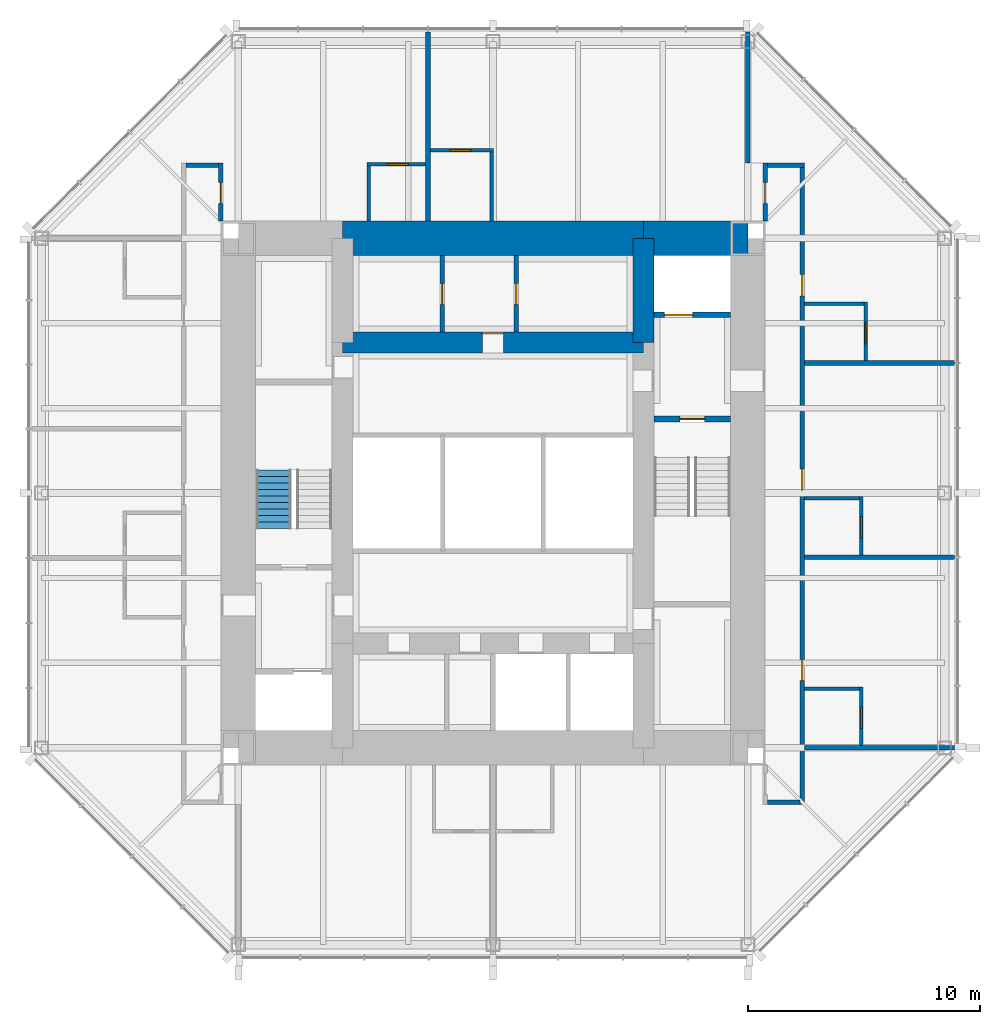
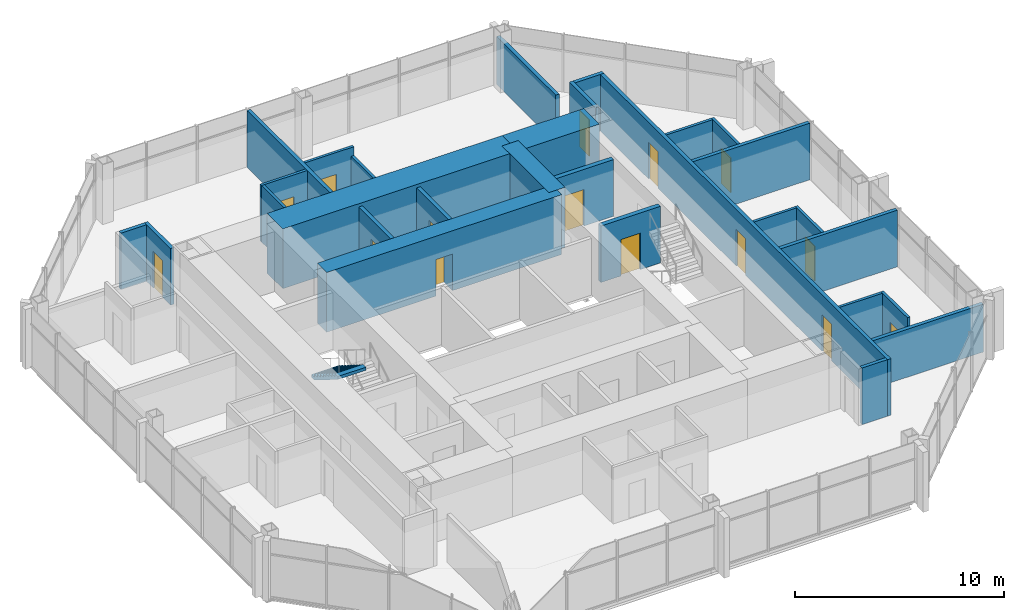
# One storey, part 9 of 11: 29 walls, 15 doors, 1 stair flight, 15 openings, 1 element without a shape of its own.
"""IFC4 building model written with IfcOpenShell, lengths in metres."""

import ifcopenshell
import ifcopenshell.guid

model = None  # the IFC model being written
_history = None  # IfcOwnerHistory: only IFC2X3 demands one
_inside = {}  # id of a spatial element -> (the spatial element, [elements in it])
_under = {}  # id of a project, library or spatial element -> (it, [spatial elements below it])
_declared = {}  # id of a project -> (the project, [libraries it declares])
_typed = {}  # id of a type object -> (the type object, [elements of that type])
_made_of = {}  # id of a material, layer set ... -> (it, [elements and type objects made of it])


def new_model(schema):
    """Start an empty IFC model of exactly this schema.

    Asked for "IFC4X3", IfcOpenShell would pick the latest addendum, in which some entities
    have other attributes; the version numbers below select the first issue.
    IFC2X3 requires an IfcOwnerHistory on every rooted entity: one is made here for all.
    """
    global model, _history
    if schema == "IFC4X3":
        model = ifcopenshell.file(schema_version=(4, 3, 0, 0))
    else:
        model = ifcopenshell.file(schema=schema)
    _inside.clear()
    _under.clear()
    _declared.clear()
    _typed.clear()
    _made_of.clear()
    _history = None
    if model.schema == "IFC2X3":
        org = make("IfcOrganization", Name="unknown")
        user = make(
            "IfcPersonAndOrganization",
            ThePerson=make("IfcPerson", FamilyName="unknown"),
            TheOrganization=org,
        )
        app = make(
            "IfcApplication",
            ApplicationDeveloper=org,
            Version="unknown",
            ApplicationFullName="unknown",
            ApplicationIdentifier="unknown",
        )
        _history = make(
            "IfcOwnerHistory",
            OwningUser=user,
            OwningApplication=app,
            ChangeAction="ADDED",
            CreationDate=0,
        )
    return model


def make(cls, **values):
    """One entity of the class cls with the attributes given. An attribute that is None is left unset."""
    return model.create_entity(
        cls, **{name: value for name, value in values.items() if value is not None}
    )


def rooted(cls, **values):
    """An entity with a GlobalId (a new one), such as an element, a storey or a relation."""
    return make(cls, GlobalId=ifcopenshell.guid.new(), OwnerHistory=_history, **values)


def si_unit(unit_type, name, prefix=None):
    """IfcSIUnit, for example si_unit("LENGTHUNIT", "METRE", prefix="MILLI")."""
    return make("IfcSIUnit", UnitType=unit_type, Prefix=prefix, Name=name)


def assignment(units):
    """IfcUnitAssignment: the units of a project."""
    return None if units is None else make("IfcUnitAssignment", Units=units)


def point(xyz):
    """IfcCartesianPoint."""
    return None if xyz is None else make("IfcCartesianPoint", Coordinates=xyz)


def direction(xyz):
    """IfcDirection."""
    return None if xyz is None else make("IfcDirection", DirectionRatios=xyz)


def frame(location, z_axis=None, x_axis=None):
    """IfcAxis2Placement3D, a coordinate frame: its origin and axes. An axis left out is left unset."""
    return make(
        "IfcAxis2Placement3D",
        Location=point(location),
        Axis=direction(z_axis),
        RefDirection=direction(x_axis),
    )


def frame_2d(location, x_axis=None):
    """IfcAxis2Placement2D, a coordinate frame in the plane: its origin and x axis."""
    return make(
        "IfcAxis2Placement2D", Location=point(location), RefDirection=direction(x_axis)
    )


def origin():
    """The frame at (0, 0, 0) with its axes left unset."""
    return frame((0.0, 0.0, 0.0))


def place(relative_to, where):
    """IfcLocalPlacement: puts the frame where relative to a parent placement (None: the world)."""
    return make(
        "IfcLocalPlacement", PlacementRelTo=relative_to, RelativePlacement=where
    )


def context(
    kind, dimensions, precision=None, world=None, true_north=None, identifier=None
):
    """IfcGeometricRepresentationContext, for example the 3D "Model" context."""
    return make(
        "IfcGeometricRepresentationContext",
        ContextIdentifier=identifier,
        ContextType=kind,
        CoordinateSpaceDimension=dimensions,
        Precision=precision,
        WorldCoordinateSystem=world,
        TrueNorth=true_north,
    )


def subcontext(parent, identifier, kind, view, scale=None):
    """IfcGeometricRepresentationSubContext, for example "Body" below "Model"."""
    return make(
        "IfcGeometricRepresentationSubContext",
        ContextIdentifier=identifier,
        ContextType=kind,
        ParentContext=parent,
        TargetScale=scale,
        TargetView=view,
    )


def project(units=None, contexts=None):
    """IfcProject with its units and contexts."""
    return rooted(
        "IfcProject",
        Name="project",
        RepresentationContexts=contexts,
        UnitsInContext=assignment(units),
    )


def spatial(cls, under=None, at=None, **own):
    """A site, building, storey or space (cls), placed at a placement, below another one or the project."""
    s = rooted(cls, ObjectPlacement=at, **own)
    if under is not None:
        _under.setdefault(under.id(), (under, []))[1].append(s)
    return s


def polyline(points):
    """IfcPolyline through the points."""
    return make("IfcPolyline", Points=[point(p) for p in points])


def profile(cls, at=None, kind="AREA", **sizes):
    """A parametric profile (cls). Its sizes go by their IFC names, for example OverallWidth=200.0."""
    return make(cls, ProfileType=kind, Position=at, **sizes)


def rectangle(**sizes):
    """IfcRectangleProfileDef."""
    return profile("IfcRectangleProfileDef", **sizes)


def outline(outer, holes=None, kind="AREA"):
    """IfcArbitraryClosedProfileDef: a profile drawn as a closed curve; with holes, ...WithVoids."""
    if holes is None:
        return make("IfcArbitraryClosedProfileDef", ProfileType=kind, OuterCurve=outer)
    return make(
        "IfcArbitraryProfileDefWithVoids",
        ProfileType=kind,
        OuterCurve=outer,
        InnerCurves=holes,
    )


def extrude(swept, where, along, depth):
    """IfcExtrudedAreaSolid: the profile swept, set in the frame where, extruded along a direction by depth."""
    return make(
        "IfcExtrudedAreaSolid",
        SweptArea=swept,
        Position=where,
        ExtrudedDirection=direction(along),
        Depth=depth,
    )


def shape(context_of_items, identifier, shape_type, items):
    """IfcShapeRepresentation: the items that make up one representation, for example the "Body"."""
    return make(
        "IfcShapeRepresentation",
        ContextOfItems=context_of_items,
        RepresentationIdentifier=identifier,
        RepresentationType=shape_type,
        Items=items,
    )


def material(Name=None, Category=None):
    """IfcMaterial."""
    return make("IfcMaterial", Name=Name, Category=Category)


def layer(
    of_material, thickness, ventilated=None, Name=None, Category=None, Priority=None
):
    """IfcMaterialLayer: one layer of a wall or slab, of a material (None: an air gap)."""
    return make(
        "IfcMaterialLayer",
        Material=of_material,
        LayerThickness=thickness,
        IsVentilated=ventilated,
        Name=Name,
        Category=Category,
        Priority=Priority,
    )


def layer_set(layers, Name=None):
    """IfcMaterialLayerSet."""
    return make("IfcMaterialLayerSet", MaterialLayers=layers, LayerSetName=Name)


def made_of(thing, what):
    """Note that an element or type object is made of a material, layer set ...; save() writes the relation."""
    if what is not None:
        _made_of.setdefault(what.id(), (what, []))[1].append(thing)
    return thing


def type_object(cls, material=None, **own):
    """A type object (cls), such as IfcWallType, which elements share."""
    return made_of(rooted(cls, **own), material)


def element(
    cls,
    number,
    at=None,
    inside=None,
    cuts=None,
    type_object=None,
    material=None,
    context=None,
    identifier="Body",
    shape_type=None,
    held_by="IfcProductDefinitionShape",
    body=None,
    shapes=None,
    **own,
):
    """One element of the class cls, such as IfcWall. Its Tag is "e" and its number.

    at: its placement. inside: the storey or other place that contains it. cuts: it is an
    opening in that element (IfcRelVoidsElement). A single representation is given by context,
    identifier, shape_type and body (its items); several are given by shapes. held_by: the class
    of the entity that holds the representations. save() writes the other relations.
    """
    e = rooted(cls, Tag="e%d" % number, ObjectPlacement=at, **own)
    if body is not None:
        shapes = [shape(context, identifier, shape_type, body)]
    if shapes is not None:
        e.Representation = make(held_by, Representations=shapes)
    if inside is not None:
        _inside.setdefault(inside.id(), (inside, []))[1].append(e)
    if cuts is not None:
        rooted(
            "IfcRelVoidsElement", RelatingBuildingElement=cuts, RelatedOpeningElement=e
        )
    if type_object is not None:
        _typed.setdefault(type_object.id(), (type_object, []))[1].append(e)
    return made_of(e, material)


def fill(opening, filler):
    """IfcRelFillsElement: the door or window that sits in an opening."""
    return rooted(
        "IfcRelFillsElement",
        RelatingOpeningElement=opening,
        RelatedBuildingElement=filler,
    )


def aggregate(whole, parts):
    """IfcRelAggregates: a whole, such as a stair, and the parts it consists of."""
    return rooted("IfcRelAggregates", RelatingObject=whole, RelatedObjects=parts)


def save(model, path):
    """Write the relations noted so far, then the file.

    IfcRelAggregates (storeys below a building ...), IfcRelContainedInSpatialStructure (elements
    in a storey), IfcRelDefinesByType, IfcRelAssociatesMaterial and IfcRelDeclares: one each for
    every whole, place, type object, material and project.
    """
    for whole, parts in _under.values():
        aggregate(whole, parts)
    for where, things in _inside.values():
        rooted(
            "IfcRelContainedInSpatialStructure",
            RelatedElements=things,
            RelatingStructure=where,
        )
    for kind, things in _typed.values():
        rooted("IfcRelDefinesByType", RelatedObjects=things, RelatingType=kind)
    for what, things in _made_of.values():
        rooted("IfcRelAssociatesMaterial", RelatedObjects=things, RelatingMaterial=what)
    for by, libraries in _declared.values():
        rooted("IfcRelDeclares", RelatingContext=by, RelatedDefinitions=libraries)
    model.write(path)


model = new_model("IFC4")

# Units and contexts
model_context = context("Model", 3, precision=1e-05, world=origin(), true_north=direction((0.0, 1.0)))
body_context = subcontext(model_context, "Body", "Model", "MODEL_VIEW")
ifc_project = project(units=[si_unit("LENGTHUNIT", "METRE"), si_unit("AREAUNIT", "SQUARE_METRE"), si_unit("VOLUMEUNIT", "CUBIC_METRE"), si_unit("PLANEANGLEUNIT", "RADIAN"), si_unit("MASSUNIT", "GRAM", prefix="KILO")], contexts=[model_context])

# Site, building, storey
site_placement = place(None, origin())
site = spatial("IfcSite", under=ifc_project, at=site_placement, CompositionType="ELEMENT")
building_placement = place(site_placement, origin())
building = spatial("IfcBuilding", under=site, at=building_placement, Name="Trevanion Tower", CompositionType="ELEMENT")
storey_placement = place(building_placement, frame((0.0, 0.0, 236.199951171875)))
storey = spatial("IfcBuildingStorey", under=building, at=storey_placement, Name="L57", CompositionType="ELEMENT", Elevation=236.199951171875)

# Walls
ifc_material_1 = material(Name="Concrete 10,000 psi", Category="concrete")
ifc_layer_1 = layer(ifc_material_1, 1.5)
ifc_layer_set_1 = layer_set([ifc_layer_1], Name="CW1 core wall 1500")
wall_type_1 = type_object("IfcWallType", Name="CW1 core wall 1500", PredefinedType="SHEAR", material=ifc_layer_set_1)
wall_1_placement = place(storey_placement, frame((11.0, 11.0, 0.0), z_axis=(0.0, 0.0, 1.0), x_axis=(-1.0, 0.0, 0.0)))
element("IfcWall", 1, at=wall_1_placement, inside=storey, type_object=wall_type_1, Name="CW1 CN1 L57", PredefinedType="SHEAR", context=body_context, shape_type="SweptSolid", body=[
    extrude(rectangle(XDim=4.5, YDim=1.5, at=frame_2d((2.25, 0.0))), origin(), (0.0, 0.0, 1.0), 3.5),
])
wall_2_placement = place(storey_placement, frame((6.5, 11.0, 0.0), z_axis=(0.0, 0.0, 1.0), x_axis=(-1.0, 0.0, 0.0)))
element("IfcWall", 2, at=wall_2_placement, inside=storey, type_object=wall_type_1, Name="CW1 CN2 L57", PredefinedType="SHEAR", context=body_context, shape_type="SweptSolid", body=[
    extrude(rectangle(XDim=13.0, YDim=1.5, at=frame_2d((6.5, 0.0))), origin(), (0.0, 0.0, 1.0), 3.5),
])
ifc_material_2 = material(Name="Concrete 10,000 psi", Category="concrete")
ifc_layer_2 = layer(ifc_material_2, 0.89990234375)
ifc_layer_set_2 = layer_set([ifc_layer_2], Name="CW2 core wall 900")
wall_type_2 = type_object("IfcWallType", Name="CW2 core wall 900", PredefinedType="SHEAR", material=ifc_layer_set_2)
wall_3_placement = place(storey_placement, frame((6.5, 6.5, 0.0), z_axis=(0.0, 0.0, 1.0), x_axis=(0.0, 1.0, 0.0)))
element("IfcWall", 3, at=wall_3_placement, inside=storey, type_object=wall_type_2, Name="CW2 RE3 L57", PredefinedType="SHEAR", context=body_context, shape_type="SweptSolid", body=[
    extrude(rectangle(XDim=4.5, YDim=0.89990234375, at=frame_2d((2.25, 0.0))), origin(), (0.0, 0.0, 1.0), 3.5),
])

# Wall, opening, door
wall_4_placement = place(storey_placement, frame((6.5, 6.5, 0.0), z_axis=(0.0, 0.0, 1.0), x_axis=(-1.0, 0.0, 0.0)))
wall_4 = element("IfcWall", 4, at=wall_4_placement, inside=storey, type_object=wall_type_2, Name="CW2 RN L57", PredefinedType="SHEAR", context=body_context, shape_type="SweptSolid", body=[
    extrude(rectangle(XDim=13.0, YDim=0.89990234375, at=frame_2d((6.5, 0.0))), origin(), (0.0, 0.0, 1.0), 3.5),
])
opening_1_placement = place(wall_4_placement, frame((6.04248046875, 0.0, 0.0)))
opening_1 = element("IfcOpeningElement", 5, at=opening_1_placement, cuts=wall_4, Name="Opening 57-015", PredefinedType="OPENING", context=body_context, shape_type="SweptSolid", body=[
    extrude(rectangle(XDim=0.9150390625, YDim=2.134033203125, at=frame_2d((0.45751953125, 1.06689453125))), frame((0.0, 0.4599609375, 0.0), z_axis=(0.0, -1.0, 0.0), x_axis=(1.0, 0.0, 0.0)), (0.0, 0.0, 1.0), 0.919921875),
])
ifc_material_3 = material(Name="Hollow metal, fire rated", Category="steel")
door_type_1 = type_object("IfcDoorType", Name="D5 service room door", OperationType="SINGLE_SWING_RIGHT", PredefinedType="DOOR", material=ifc_material_3)
door_1_placement = place(opening_1_placement, origin())
door_1 = element("IfcDoor", 6, at=door_1_placement, inside=storey, type_object=door_type_1, Name="Door 57-015", OperationType="SINGLE_SWING_RIGHT", OverallHeight=2.134033203125, OverallWidth=0.9150390625, PredefinedType="DOOR", context=body_context, shape_type="SweptSolid", body=[
    extrude(rectangle(XDim=0.9150390625, YDim=2.134033203125, at=frame_2d((0.45751953125, 1.06689453125))), frame((0.0, -0.375, 0.0), z_axis=(0.0, -1.0, 0.0), x_axis=(1.0, 0.0, 0.0)), (0.0, 0.0, 1.0), 0.050048828125),
])
fill(opening_1, door_1)

ifc_material_4 = material(Name="Gypsum board on steel studs", Category="steel")
ifc_layer_3 = layer(ifc_material_4, 0.14990234375)
ifc_layer_set_3 = layer_set([ifc_layer_3], Name="PT1 partition 150")
wall_type_3 = type_object("IfcWallType", Name="PT1 partition 150", PredefinedType="PARTITIONING", material=ifc_layer_set_3)
wall_5_placement = place(storey_placement, frame((15.89990234375, -10.89990234375, 0.0), z_axis=(0.0, 0.0, 1.0), x_axis=(0.0, 1.0, 0.0)))
wall_5 = element("IfcWall", 7, at=wall_5_placement, inside=storey, type_object=wall_type_3, Name="PT1 L57 BA00", PredefinedType="PARTITIONING", context=body_context, shape_type="SweptSolid", body=[
    extrude(rectangle(XDim=2.52490234375, YDim=0.14990234375, at=frame_2d((1.262451171875, 0.0))), origin(), (0.0, 0.0, 1.0), 3.31005859375),
])
opening_2_placement = place(wall_5_placement, frame((0.742431640625, 0.0, 0.0)))
opening_2 = element("IfcOpeningElement", 8, at=opening_2_placement, cuts=wall_5, Name="Opening 57-018", PredefinedType="OPENING", context=body_context, shape_type="SweptSolid", body=[
    extrude(rectangle(XDim=0.9150390625, YDim=2.031982421875, at=frame_2d((0.45751953125, 1.01611328125))), frame((0.0, 0.0849609375, 0.0), z_axis=(0.0, -1.0, 0.0), x_axis=(1.0, 0.0, 0.0)), (0.0, 0.0, 1.0), 0.169921875),
])
ifc_material_5 = material(Name="Timber veneer", Category="wood")
door_type_2 = type_object("IfcDoorType", Name="D7 bathroom door", OperationType="SINGLE_SWING_LEFT", PredefinedType="DOOR", material=ifc_material_5)
door_2_placement = place(opening_2_placement, origin())
door_2 = element("IfcDoor", 9, at=door_2_placement, inside=storey, type_object=door_type_2, Name="Door 57-018", OperationType="SINGLE_SWING_LEFT", OverallHeight=2.031982421875, OverallWidth=0.9150390625, PredefinedType="DOOR", context=body_context, shape_type="SweptSolid", body=[
    extrude(rectangle(XDim=0.9150390625, YDim=2.031982421875, at=frame_2d((0.45751953125, 1.01611328125))), frame((0.0, 0.02490234375, 0.0), z_axis=(0.0, -1.0, 0.0), x_axis=(1.0, 0.0, 0.0)), (0.0, 0.0, 1.0), 0.050048828125),
])
fill(opening_2, door_2)

# Wall
wall_6_placement = place(storey_placement, frame((13.449951171875, -8.449951171875, 0.0), z_axis=(0.0, 0.0, 1.0), x_axis=(1.0, 0.0, 0.0)))
element("IfcWall", 10, at=wall_6_placement, inside=storey, type_object=wall_type_3, Name="PT1 L57 BB00", PredefinedType="PARTITIONING", context=body_context, shape_type="SweptSolid", body=[
    extrude(rectangle(XDim=2.375, YDim=0.14990234375, at=frame_2d((1.1875, 0.0))), origin(), (0.0, 0.0, 1.0), 3.31005859375),
])

# Wall, opening, door
wall_7_placement = place(storey_placement, frame((15.89990234375, -2.675048828125, 0.0), z_axis=(0.0, 0.0, 1.0), x_axis=(0.0, 1.0, 0.0)))
wall_7 = element("IfcWall", 11, at=wall_7_placement, inside=storey, type_object=wall_type_3, Name="PT1 L57 BA01", PredefinedType="PARTITIONING", context=body_context, shape_type="SweptSolid", body=[
    extrude(rectangle(XDim=2.525146484375, YDim=0.14990234375, at=frame_2d((1.2626953125, 0.0))), origin(), (0.0, 0.0, 1.0), 3.31005859375),
])
opening_3_placement = place(wall_7_placement, frame((0.742431640625, 0.0, 0.0)))
opening_3 = element("IfcOpeningElement", 12, at=opening_3_placement, cuts=wall_7, Name="Opening 57-020", PredefinedType="OPENING", context=body_context, shape_type="SweptSolid", body=[
    extrude(rectangle(XDim=0.9150390625, YDim=2.031982421875, at=frame_2d((0.45751953125, 1.01611328125))), frame((0.0, 0.0849609375, 0.0), z_axis=(0.0, -1.0, 0.0), x_axis=(1.0, 0.0, 0.0)), (0.0, 0.0, 1.0), 0.169921875),
])
door_3_placement = place(opening_3_placement, origin())
door_3 = element("IfcDoor", 13, at=door_3_placement, inside=storey, type_object=door_type_2, Name="Door 57-020", OperationType="SINGLE_SWING_LEFT", OverallHeight=2.031982421875, OverallWidth=0.9150390625, PredefinedType="DOOR", context=body_context, shape_type="SweptSolid", body=[
    extrude(rectangle(XDim=0.9150390625, YDim=2.031982421875, at=frame_2d((0.45751953125, 1.01611328125))), frame((0.0, 0.02490234375, 0.0), z_axis=(0.0, -1.0, 0.0), x_axis=(1.0, 0.0, 0.0)), (0.0, 0.0, 1.0), 0.050048828125),
])
fill(opening_3, door_3)

# Wall
wall_8_placement = place(storey_placement, frame((13.449951171875, -0.22509765625, 0.0), z_axis=(0.0, 0.0, 1.0), x_axis=(1.0, 0.0, 0.0)))
element("IfcWall", 14, at=wall_8_placement, inside=storey, type_object=wall_type_3, Name="PT1 L57 BB01", PredefinedType="PARTITIONING", context=body_context, shape_type="SweptSolid", body=[
    extrude(rectangle(XDim=2.375, YDim=0.14990234375, at=frame_2d((1.1875, 0.0))), origin(), (0.0, 0.0, 1.0), 3.31005859375),
])

# Wall, opening, door
wall_9_placement = place(storey_placement, frame((16.10009765625, 5.714111328125, 0.0), z_axis=(0.0, 0.0, 1.0), x_axis=(0.0, 1.0, 0.0)))
wall_9 = element("IfcWall", 15, at=wall_9_placement, inside=storey, type_object=wall_type_3, Name="PT1 L57 BA02", PredefinedType="PARTITIONING", context=body_context, shape_type="SweptSolid", body=[
    extrude(rectangle(XDim=2.52490234375, YDim=0.14990234375, at=frame_2d((1.262451171875, 0.0))), origin(), (0.0, 0.0, 1.0), 3.31005859375),
])
opening_4_placement = place(wall_9_placement, frame((0.742431640625, 0.0, 0.0)))
opening_4 = element("IfcOpeningElement", 16, at=opening_4_placement, cuts=wall_9, Name="Opening 57-022", PredefinedType="OPENING", context=body_context, shape_type="SweptSolid", body=[
    extrude(rectangle(XDim=0.9150390625, YDim=2.031982421875, at=frame_2d((0.45751953125, 1.01611328125))), frame((0.0, 0.0849609375, 0.0), z_axis=(0.0, -1.0, 0.0), x_axis=(1.0, 0.0, 0.0)), (0.0, 0.0, 1.0), 0.169921875),
])
door_4_placement = place(opening_4_placement, origin())
door_4 = element("IfcDoor", 17, at=door_4_placement, inside=storey, type_object=door_type_2, Name="Door 57-022", OperationType="SINGLE_SWING_LEFT", OverallHeight=2.031982421875, OverallWidth=0.9150390625, PredefinedType="DOOR", context=body_context, shape_type="SweptSolid", body=[
    extrude(rectangle(XDim=0.9150390625, YDim=2.031982421875, at=frame_2d((0.45751953125, 1.01611328125))), frame((0.0, 0.02490234375, 0.0), z_axis=(0.0, -1.0, 0.0), x_axis=(1.0, 0.0, 0.0)), (0.0, 0.0, 1.0), 0.050048828125),
])
fill(opening_4, door_4)

# Wall
wall_10_placement = place(storey_placement, frame((13.449951171875, 8.1640625, 0.0), z_axis=(0.0, 0.0, 1.0), x_axis=(1.0, 0.0, 0.0)))
element("IfcWall", 18, at=wall_10_placement, inside=storey, type_object=wall_type_3, Name="PT1 L57 BB02", PredefinedType="PARTITIONING", context=body_context, shape_type="SweptSolid", body=[
    extrude(rectangle(XDim=2.574951171875, YDim=0.14990234375, at=frame_2d((1.28759765625, 0.0))), origin(), (0.0, 0.0, 1.0), 3.31005859375),
])

# Wall, opening, door
wall_11_placement = place(storey_placement, frame((0.01806640625, 14.800048828125, 0.0), z_axis=(0.0, 0.0, 1.0), x_axis=(-1.0, 0.0, 0.0)))
wall_11 = element("IfcWall", 19, at=wall_11_placement, inside=storey, type_object=wall_type_3, Name="PT1 L57 BA10", PredefinedType="PARTITIONING", context=body_context, shape_type="SweptSolid", body=[
    extrude(rectangle(XDim=2.72509765625, YDim=0.14990234375, at=frame_2d((1.362548828125, 0.0))), origin(), (0.0, 0.0, 1.0), 3.31005859375),
])
opening_5_placement = place(wall_11_placement, frame((0.967529296875, 0.0, 0.0)))
opening_5 = element("IfcOpeningElement", 20, at=opening_5_placement, cuts=wall_11, Name="Opening 57-026", PredefinedType="OPENING", context=body_context, shape_type="SweptSolid", body=[
    extrude(rectangle(XDim=0.9150390625, YDim=2.031982421875, at=frame_2d((0.45751953125, 1.01611328125))), frame((0.0, 0.0849609375, 0.0), z_axis=(0.0, -1.0, 0.0), x_axis=(1.0, 0.0, 0.0)), (0.0, 0.0, 1.0), 0.169921875),
])
door_5_placement = place(opening_5_placement, origin())
door_5 = element("IfcDoor", 21, at=door_5_placement, inside=storey, type_object=door_type_2, Name="Door 57-026", OperationType="SINGLE_SWING_LEFT", OverallHeight=2.031982421875, OverallWidth=0.9150390625, PredefinedType="DOOR", context=body_context, shape_type="SweptSolid", body=[
    extrude(rectangle(XDim=0.9150390625, YDim=2.031982421875, at=frame_2d((0.45751953125, 1.01611328125))), frame((0.0, 0.02490234375, 0.0), z_axis=(0.0, -1.0, 0.0), x_axis=(1.0, 0.0, 0.0)), (0.0, 0.0, 1.0), 0.050048828125),
])
fill(opening_5, door_5)

# Wall
wall_12_placement = place(storey_placement, frame((-0.056884765625, 11.75, 0.0), z_axis=(0.0, 0.0, 1.0), x_axis=(0.0, 1.0, 0.0)))
element("IfcWall", 22, at=wall_12_placement, inside=storey, type_object=wall_type_3, Name="PT1 L57 BB10", PredefinedType="PARTITIONING", context=body_context, shape_type="SweptSolid", body=[
    extrude(rectangle(XDim=2.97509765625, YDim=0.14990234375, at=frame_2d((1.487548828125, 0.0))), origin(), (0.0, 0.0, 1.0), 2.802001953125),
])

# Wall, opening, door
wall_13_placement = place(storey_placement, frame((-2.906982421875, 14.199951171875, 0.0), z_axis=(0.0, 0.0, 1.0), x_axis=(-1.0, 0.0, 0.0)))
wall_13 = element("IfcWall", 23, at=wall_13_placement, inside=storey, type_object=wall_type_3, Name="PT1 L57 BA11", PredefinedType="PARTITIONING", context=body_context, shape_type="SweptSolid", body=[
    extrude(rectangle(XDim=2.52490234375, YDim=0.14990234375, at=frame_2d((1.262451171875, 0.0))), origin(), (0.0, 0.0, 1.0), 3.31005859375),
])
opening_6_placement = place(wall_13_placement, frame((0.742431640625, 0.0, 0.0)))
opening_6 = element("IfcOpeningElement", 24, at=opening_6_placement, cuts=wall_13, Name="Opening 57-027", PredefinedType="OPENING", context=body_context, shape_type="SweptSolid", body=[
    extrude(rectangle(XDim=0.9150390625, YDim=2.031982421875, at=frame_2d((0.45751953125, 1.01611328125))), frame((0.0, 0.0849609375, 0.0), z_axis=(0.0, -1.0, 0.0), x_axis=(1.0, 0.0, 0.0)), (0.0, 0.0, 1.0), 0.169921875),
])
door_6_placement = place(opening_6_placement, origin())
door_6 = element("IfcDoor", 25, at=door_6_placement, inside=storey, type_object=door_type_2, Name="Door 57-027", OperationType="SINGLE_SWING_LEFT", OverallHeight=2.031982421875, OverallWidth=0.9150390625, PredefinedType="DOOR", context=body_context, shape_type="SweptSolid", body=[
    extrude(rectangle(XDim=0.9150390625, YDim=2.031982421875, at=frame_2d((0.45751953125, 1.01611328125))), frame((0.0, 0.02490234375, 0.0), z_axis=(0.0, -1.0, 0.0), x_axis=(1.0, 0.0, 0.0)), (0.0, 0.0, 1.0), 0.050048828125),
])
fill(opening_6, door_6)

# Wall
wall_14_placement = place(storey_placement, frame((-5.35693359375, 11.75, 0.0), z_axis=(0.0, 0.0, 1.0), x_axis=(0.0, 1.0, 0.0)))
element("IfcWall", 26, at=wall_14_placement, inside=storey, type_object=wall_type_3, Name="PT1 L57 BB11", PredefinedType="PARTITIONING", context=body_context, shape_type="SweptSolid", body=[
    extrude(rectangle(XDim=2.375, YDim=0.14990234375, at=frame_2d((1.1875, 0.0))), origin(), (0.0, 0.0, 1.0), 3.31005859375),
])

# Wall, opening, door
ifc_material_6 = material(Name="Concrete masonry, grouted", Category="masonry")
ifc_layer_4 = layer(ifc_material_6, 0.199951171875)
ifc_layer_set_4 = layer_set([ifc_layer_4], Name="PT2 partition 200 1 HR")
wall_type_4 = type_object("IfcWallType", Name="PT2 partition 200 1 HR", PredefinedType="PARTITIONING", material=ifc_layer_set_4)
wall_15_placement = place(storey_placement, frame((-2.199951171875, 6.949951171875, 0.0), z_axis=(0.0, 0.0, 1.0), x_axis=(0.0, 1.0, 0.0)))
wall_15 = element("IfcWall", 27, at=wall_15_placement, inside=storey, type_object=wall_type_4, Name="PT2 L57 HKP1", PredefinedType="PARTITIONING", context=body_context, shape_type="SweptSolid", body=[
    extrude(rectangle(XDim=3.300048828125, YDim=0.199951171875, at=frame_2d((1.64990234375, 0.0))), origin(), (0.0, 0.0, 1.0), 3.31005859375),
])
opening_7_placement = place(wall_15_placement, frame((1.1923828125, 0.0, 0.0)))
opening_7 = element("IfcOpeningElement", 28, at=opening_7_placement, cuts=wall_15, Name="Opening 57-016", PredefinedType="OPENING", context=body_context, shape_type="SweptSolid", body=[
    extrude(rectangle(XDim=0.9150390625, YDim=2.134033203125, at=frame_2d((0.45751953125, 1.06689453125))), frame((0.0, 0.10986328125, 0.0), z_axis=(0.0, -1.0, 0.0), x_axis=(1.0, 0.0, 0.0)), (0.0, 0.0, 1.0), 0.219970703125),
])
door_7_placement = place(opening_7_placement, origin())
door_7 = element("IfcDoor", 29, at=door_7_placement, inside=storey, type_object=door_type_1, Name="Door 57-016", OperationType="SINGLE_SWING_RIGHT", OverallHeight=2.134033203125, OverallWidth=0.9150390625, PredefinedType="DOOR", context=body_context, shape_type="SweptSolid", body=[
    extrude(rectangle(XDim=0.9150390625, YDim=2.134033203125, at=frame_2d((0.45751953125, 1.06689453125))), frame((0.0, 0.02490234375, 0.0), z_axis=(0.0, -1.0, 0.0), x_axis=(1.0, 0.0, 0.0)), (0.0, 0.0, 1.0), 0.050048828125),
])
fill(opening_7, door_7)

wall_16_placement = place(storey_placement, frame((1.0, 6.949951171875, 0.0), z_axis=(0.0, 0.0, 1.0), x_axis=(0.0, 1.0, 0.0)))
wall_16 = element("IfcWall", 30, at=wall_16_placement, inside=storey, type_object=wall_type_4, Name="PT2 L57 HKP2", PredefinedType="PARTITIONING", context=body_context, shape_type="SweptSolid", body=[
    extrude(rectangle(XDim=3.300048828125, YDim=0.199951171875, at=frame_2d((1.64990234375, 0.0))), origin(), (0.0, 0.0, 1.0), 3.31005859375),
])
opening_8_placement = place(wall_16_placement, frame((1.1923828125, 0.0, 0.0)))
opening_8 = element("IfcOpeningElement", 31, at=opening_8_placement, cuts=wall_16, Name="Opening 57-017", PredefinedType="OPENING", context=body_context, shape_type="SweptSolid", body=[
    extrude(rectangle(XDim=0.9150390625, YDim=2.134033203125, at=frame_2d((0.45751953125, 1.06689453125))), frame((0.0, 0.10986328125, 0.0), z_axis=(0.0, -1.0, 0.0), x_axis=(1.0, 0.0, 0.0)), (0.0, 0.0, 1.0), 0.219970703125),
])
door_8_placement = place(opening_8_placement, origin())
door_8 = element("IfcDoor", 32, at=door_8_placement, inside=storey, type_object=door_type_1, Name="Door 57-017", OperationType="SINGLE_SWING_RIGHT", OverallHeight=2.134033203125, OverallWidth=0.9150390625, PredefinedType="DOOR", context=body_context, shape_type="SweptSolid", body=[
    extrude(rectangle(XDim=0.9150390625, YDim=2.134033203125, at=frame_2d((0.45751953125, 1.06689453125))), frame((0.0, 0.02490234375, 0.0), z_axis=(0.0, -1.0, 0.0), x_axis=(1.0, 0.0, 0.0)), (0.0, 0.0, 1.0), 0.050048828125),
])
fill(opening_8, door_8)

wall_17_placement = place(storey_placement, frame((11.75, 11.75, 0.0), z_axis=(0.0, 0.0, 1.0), x_axis=(0.0, 1.0, 0.0)))
wall_17 = element("IfcWall", 33, at=wall_17_placement, inside=storey, type_object=wall_type_4, Name="PT2 L57 HO1a", PredefinedType="PARTITIONING", context=body_context, shape_type="SweptSolid", body=[
    extrude(rectangle(XDim=2.5, YDim=0.199951171875, at=frame_2d((1.25, 0.0))), origin(), (0.0, 0.0, 1.0), 3.31005859375),
])
opening_9_placement = place(wall_17_placement, frame((0.742431640625, 0.0, 0.0)))
opening_9 = element("IfcOpeningElement", 34, at=opening_9_placement, cuts=wall_17, Name="Opening 57-024", PredefinedType="OPENING", context=body_context, shape_type="SweptSolid", body=[
    extrude(rectangle(XDim=0.9150390625, YDim=2.134033203125, at=frame_2d((0.45751953125, 1.06689453125))), frame((0.0, 0.10986328125, 0.0), z_axis=(0.0, -1.0, 0.0), x_axis=(1.0, 0.0, 0.0)), (0.0, 0.0, 1.0), 0.219970703125),
])
ifc_material_7 = material(Name="Timber veneer, fire rated", Category="wood")
door_type_3 = type_object("IfcDoorType", Name="D6 guest room entrance door", OperationType="SINGLE_SWING_LEFT", PredefinedType="DOOR", material=ifc_material_7)
door_9_placement = place(opening_9_placement, origin())
door_9 = element("IfcDoor", 35, at=door_9_placement, inside=storey, type_object=door_type_3, Name="Door 57-024", OperationType="SINGLE_SWING_LEFT", OverallHeight=2.134033203125, OverallWidth=0.9150390625, PredefinedType="DOOR", context=body_context, shape_type="SweptSolid", body=[
    extrude(rectangle(XDim=0.9150390625, YDim=2.134033203125, at=frame_2d((0.45751953125, 1.06689453125))), frame((0.0, 0.02490234375, 0.0), z_axis=(0.0, -1.0, 0.0), x_axis=(1.0, 0.0, 0.0)), (0.0, 0.0, 1.0), 0.050048828125),
])
fill(opening_9, door_9)

wall_18_placement = place(storey_placement, frame((-11.75, 11.75, 0.0), z_axis=(0.0, 0.0, 1.0), x_axis=(0.0, 1.0, 0.0)))
wall_18 = element("IfcWall", 36, at=wall_18_placement, inside=storey, type_object=wall_type_4, Name="PT2 L57 HO1b", PredefinedType="PARTITIONING", context=body_context, shape_type="SweptSolid", body=[
    extrude(rectangle(XDim=2.5, YDim=0.199951171875, at=frame_2d((1.25, 0.0))), origin(), (0.0, 0.0, 1.0), 3.31005859375),
])
opening_10_placement = place(wall_18_placement, frame((0.742431640625, 0.0, 0.0)))
opening_10 = element("IfcOpeningElement", 37, at=opening_10_placement, cuts=wall_18, Name="Opening 57-025", PredefinedType="OPENING", context=body_context, shape_type="SweptSolid", body=[
    extrude(rectangle(XDim=0.9150390625, YDim=2.134033203125, at=frame_2d((0.45751953125, 1.06689453125))), frame((0.0, 0.10986328125, 0.0), z_axis=(0.0, -1.0, 0.0), x_axis=(1.0, 0.0, 0.0)), (0.0, 0.0, 1.0), 0.219970703125),
])
door_10_placement = place(opening_10_placement, origin())
door_10 = element("IfcDoor", 38, at=door_10_placement, inside=storey, type_object=door_type_3, Name="Door 57-025", OperationType="SINGLE_SWING_LEFT", OverallHeight=2.134033203125, OverallWidth=0.9150390625, PredefinedType="DOOR", context=body_context, shape_type="SweptSolid", body=[
    extrude(rectangle(XDim=0.9150390625, YDim=2.134033203125, at=frame_2d((0.45751953125, 1.06689453125))), frame((0.0, 0.02490234375, 0.0), z_axis=(0.0, -1.0, 0.0), x_axis=(1.0, 0.0, 0.0)), (0.0, 0.0, 1.0), 0.050048828125),
])
fill(opening_10, door_10)

# Walls
wall_19_placement = place(storey_placement, frame((13.449951171875, 14.14990234375, 0.0), z_axis=(0.0, 0.0, 1.0), x_axis=(-1.0, 0.0, 0.0)))
element("IfcWall", 39, at=wall_19_placement, inside=storey, type_object=wall_type_4, Name="PT2 L57 HC1ca", PredefinedType="PARTITIONING", context=body_context, shape_type="SweptSolid", body=[
    extrude(rectangle(XDim=1.599853515625, YDim=0.199951171875, at=frame_2d((0.7998046875, 0.0))), origin(), (0.0, 0.0, 1.0), 3.31005859375),
])
for number, where, z_axis, x_axis, name in (
    (40, (-11.85009765625, 14.14990234375, 0.0), (0.0, 0.0, 1.0), (-1.0, 0.0, 0.0), "PT2 L57 HC1cb"),
    (41, (11.85009765625, -13.35009765625, 0.0), (0.0, 0.0, 1.0), (1.0, 0.0, 0.0), "PT2 L57 HC3cb"),
):
    element("IfcWall", number, at=place(storey_placement, frame(where, z_axis=z_axis, x_axis=x_axis)), inside=storey, type_object=wall_type_4, Name=name, PredefinedType="PARTITIONING", context=body_context, shape_type="SweptSolid", body=[
        extrude(rectangle(XDim=1.39990234375, YDim=0.199951171875, at=frame_2d((0.699951171875, 0.0))), origin(), (0.0, 0.0, 1.0), 3.31005859375),
    ])

# Wall, openings, doors
wall_20_placement = place(storey_placement, frame((13.35009765625, -13.449951171875, 0.0), z_axis=(0.0, 0.0, 1.0), x_axis=(0.0, 1.0, 0.0)))
wall_20 = element("IfcWall", 42, at=wall_20_placement, inside=storey, type_object=wall_type_4, Name="PT2 L57 HC0", PredefinedType="PARTITIONING", context=body_context, shape_type="SweptSolid", body=[
    extrude(rectangle(XDim=27.5, YDim=0.199951171875, at=frame_2d((13.75, 0.0))), origin(), (0.0, 0.0, 1.0), 3.31005859375),
])
opening_11_placement = place(wall_20_placement, frame((5.3525390625, 0.0, 0.0)))
opening_11 = element("IfcOpeningElement", 43, at=opening_11_placement, cuts=wall_20, Name="Opening 57-019", PredefinedType="OPENING", context=body_context, shape_type="SweptSolid", body=[
    extrude(rectangle(XDim=0.9150390625, YDim=2.134033203125, at=frame_2d((0.45751953125, 1.06689453125))), frame((0.0, 0.10986328125, 0.0), z_axis=(0.0, -1.0, 0.0), x_axis=(1.0, 0.0, 0.0)), (0.0, 0.0, 1.0), 0.219970703125),
])
opening_12_placement = place(wall_20_placement, frame((13.577392578125, 0.0, 0.0)))
opening_12 = element("IfcOpeningElement", 44, at=opening_12_placement, cuts=wall_20, Name="Opening 57-021", PredefinedType="OPENING", context=body_context, shape_type="SweptSolid", body=[
    extrude(rectangle(XDim=0.9150390625, YDim=2.134033203125, at=frame_2d((0.45751953125, 1.06689453125))), frame((0.0, 0.10986328125, 0.0), z_axis=(0.0, -1.0, 0.0), x_axis=(1.0, 0.0, 0.0)), (0.0, 0.0, 1.0), 0.219970703125),
])
opening_13_placement = place(wall_20_placement, frame((21.966552734375, 0.0, 0.0)))
opening_13 = element("IfcOpeningElement", 45, at=opening_13_placement, cuts=wall_20, Name="Opening 57-023", PredefinedType="OPENING", context=body_context, shape_type="SweptSolid", body=[
    extrude(rectangle(XDim=0.9150390625, YDim=2.134033203125, at=frame_2d((0.45751953125, 1.06689453125))), frame((0.0, 0.10986328125, 0.0), z_axis=(0.0, -1.0, 0.0), x_axis=(1.0, 0.0, 0.0)), (0.0, 0.0, 1.0), 0.219970703125),
])
door_11_placement = place(opening_11_placement, origin())
door_11 = element("IfcDoor", 46, at=door_11_placement, inside=storey, type_object=door_type_3, Name="Door 57-019", OperationType="SINGLE_SWING_LEFT", OverallHeight=2.134033203125, OverallWidth=0.9150390625, PredefinedType="DOOR", context=body_context, shape_type="SweptSolid", body=[
    extrude(rectangle(XDim=0.9150390625, YDim=2.134033203125, at=frame_2d((0.45751953125, 1.06689453125))), frame((0.0, 0.02490234375, 0.0), z_axis=(0.0, -1.0, 0.0), x_axis=(1.0, 0.0, 0.0)), (0.0, 0.0, 1.0), 0.050048828125),
])
fill(opening_11, door_11)
door_12_placement = place(opening_12_placement, origin())
door_12 = element("IfcDoor", 47, at=door_12_placement, inside=storey, type_object=door_type_3, Name="Door 57-021", OperationType="SINGLE_SWING_LEFT", OverallHeight=2.134033203125, OverallWidth=0.9150390625, PredefinedType="DOOR", context=body_context, shape_type="SweptSolid", body=[
    extrude(rectangle(XDim=0.9150390625, YDim=2.134033203125, at=frame_2d((0.45751953125, 1.06689453125))), frame((0.0, 0.02490234375, 0.0), z_axis=(0.0, -1.0, 0.0), x_axis=(1.0, 0.0, 0.0)), (0.0, 0.0, 1.0), 0.050048828125),
])
fill(opening_12, door_12)
door_13_placement = place(opening_13_placement, origin())
door_13 = element("IfcDoor", 48, at=door_13_placement, inside=storey, type_object=door_type_3, Name="Door 57-023", OperationType="SINGLE_SWING_LEFT", OverallHeight=2.134033203125, OverallWidth=0.9150390625, PredefinedType="DOOR", context=body_context, shape_type="SweptSolid", body=[
    extrude(rectangle(XDim=0.9150390625, YDim=2.134033203125, at=frame_2d((0.45751953125, 1.06689453125))), frame((0.0, 0.02490234375, 0.0), z_axis=(0.0, -1.0, 0.0), x_axis=(1.0, 0.0, 0.0)), (0.0, 0.0, 1.0), 0.050048828125),
])
fill(opening_13, door_13)

# Walls
wall_21_placement = place(storey_placement, frame((13.449951171875, -11.0, 0.0), z_axis=(0.0, 0.0, 1.0), x_axis=(1.0, 0.0, 0.0)))
element("IfcWall", 49, at=wall_21_placement, inside=storey, type_object=wall_type_4, Name="PT2 L57 HD00", PredefinedType="PARTITIONING", context=body_context, shape_type="SweptSolid", body=[
    extrude(rectangle(XDim=6.465087890625, YDim=0.199951171875, at=frame_2d((3.232421875, 0.0))), origin(), (0.0, 0.0, 1.0), 2.802001953125),
])
for number, where, z_axis, x_axis, name in (
    (50, (13.449951171875, -2.77490234375, 0.0), (0.0, 0.0, 1.0), (1.0, 0.0, 0.0), "PT2 L57 HD01"),
    (51, (13.449951171875, 5.614013671875, 0.0), (0.0, 0.0, 1.0), (1.0, 0.0, 0.0), "PT2 L57 HD02"),
):
    element("IfcWall", number, at=place(storey_placement, frame(where, z_axis=z_axis, x_axis=x_axis)), inside=storey, type_object=wall_type_4, Name=name, PredefinedType="PARTITIONING", context=body_context, shape_type="SweptSolid", body=[
        extrude(rectangle(XDim=6.465087890625, YDim=0.199951171875, at=frame_2d((3.232421875, 0.0))), origin(), (0.0, 0.0, 1.0), 3.31005859375),
    ])
wall_22_placement = place(storey_placement, frame((11.0, 14.25, 0.0), z_axis=(0.0, 0.0, 1.0), x_axis=(0.0, 1.0, 0.0)))
element("IfcWall", 52, at=wall_22_placement, inside=storey, type_object=wall_type_4, Name="PT2 L57 HD10", PredefinedType="PARTITIONING", context=body_context, shape_type="SweptSolid", body=[
    extrude(rectangle(XDim=5.6650390625, YDim=0.199951171875, at=frame_2d((2.83251953125, 0.0))), origin(), (0.0, 0.0, 1.0), 2.802001953125),
])
wall_23_placement = place(storey_placement, frame((-2.806884765625, 11.75, 0.0), z_axis=(0.0, 0.0, 1.0), x_axis=(0.0, 1.0, 0.0)))
element("IfcWall", 53, at=wall_23_placement, inside=storey, type_object=wall_type_4, Name="PT2 L57 HD11", PredefinedType="PARTITIONING", context=body_context, shape_type="SweptSolid", body=[
    extrude(rectangle(XDim=8.1650390625, YDim=0.199951171875, at=frame_2d((4.08251953125, 0.0))), origin(), (0.0, 0.0, 1.0), 3.31005859375),
])

# Wall, opening, door
ifc_material_8 = material(Name="Concrete masonry, grouted, two-hour", Category="masonry")
ifc_layer_5 = layer(ifc_material_8, 0.25)
ifc_layer_set_5 = layer_set([ifc_layer_5], Name="PT3 partition 250 2 HR")
wall_type_5 = type_object("IfcWallType", Name="PT3 partition 250 2 HR", PredefinedType="PARTITIONING", material=ifc_layer_set_5)
wall_24_placement = place(storey_placement, frame((6.949951171875, 7.699951171875, 0.0), z_axis=(0.0, 0.0, 1.0), x_axis=(1.0, 0.0, 0.0)))
wall_24 = element("IfcWall", 54, at=wall_24_placement, inside=storey, type_object=wall_type_5, Name="PT3 L57 EP3", PredefinedType="PARTITIONING", context=body_context, shape_type="SweptSolid", body=[
    extrude(rectangle(XDim=3.300048828125, YDim=0.25, at=frame_2d((1.64990234375, 0.0))), origin(), (0.0, 0.0, 1.0), 3.31005859375),
])
opening_14_placement = place(wall_24_placement, frame((0.449951171875, 0.0, 0.0)))
opening_14 = element("IfcOpeningElement", 55, at=opening_14_placement, cuts=wall_24, Name="Opening 57-007", PredefinedType="OPENING", context=body_context, shape_type="SweptSolid", body=[
    extrude(rectangle(XDim=1.218994140625, YDim=2.134033203125, at=frame_2d((0.609375, 1.06689453125))), frame((0.0, 0.135009765625, 0.0), z_axis=(0.0, -1.0, 0.0), x_axis=(1.0, 0.0, 0.0)), (0.0, 0.0, 1.0), 0.27001953125),
])
ifc_material_9 = material(Name="Stainless steel, fire rated", Category="steel")
door_type_4 = type_object("IfcDoorType", Name="LD2 fire service lift landing door", OperationType="SLIDING_TO_LEFT", PredefinedType="DOOR", material=ifc_material_9)
door_14_placement = place(opening_14_placement, origin())
door_14 = element("IfcDoor", 56, at=door_14_placement, inside=storey, type_object=door_type_4, Name="Door 57-007", OperationType="SLIDING_TO_LEFT", OverallHeight=2.134033203125, OverallWidth=1.218994140625, PredefinedType="DOOR", context=body_context, shape_type="SweptSolid", body=[
    extrude(rectangle(XDim=1.218994140625, YDim=2.134033203125, at=frame_2d((0.609375, 1.06689453125))), frame((0.0, 0.02490234375, 0.0), z_axis=(0.0, -1.0, 0.0), x_axis=(1.0, 0.0, 0.0)), (0.0, 0.0, 1.0), 0.050048828125),
])
fill(opening_14, door_14)

ifc_material_10 = material(Name="Reinforced masonry, fully grouted", Category="masonry")
ifc_layer_6 = layer(ifc_material_10, 0.25)
ifc_layer_set_6 = layer_set([ifc_layer_6], Name="SW1 stair shaft wall 250")
wall_type_6 = type_object("IfcWallType", Name="SW1 stair shaft wall 250", PredefinedType="SOLIDWALL", material=ifc_layer_set_6)
wall_25_placement = place(storey_placement, frame((6.949951171875, 3.199951171875, 0.0), z_axis=(0.0, 0.0, 1.0), x_axis=(1.0, 0.0, 0.0)))
wall_25 = element("IfcWall", 57, at=wall_25_placement, inside=storey, type_object=wall_type_6, Name="SW1 L57 EP2", PredefinedType="SOLIDWALL", context=body_context, shape_type="SweptSolid", body=[
    extrude(rectangle(XDim=3.300048828125, YDim=0.25, at=frame_2d((1.64990234375, 0.0))), origin(), (0.0, 0.0, 1.0), 3.31005859375),
])
opening_15_placement = place(wall_25_placement, frame((1.116455078125, 0.0, 0.0)))
opening_15 = element("IfcOpeningElement", 58, at=opening_15_placement, cuts=wall_25, Name="Opening 57-005", PredefinedType="OPENING", context=body_context, shape_type="SweptSolid", body=[
    extrude(rectangle(XDim=1.06689453125, YDim=2.134033203125, at=frame_2d((0.533447265625, 1.06689453125))), frame((0.0, 0.135009765625, 0.0), z_axis=(0.0, -1.0, 0.0), x_axis=(1.0, 0.0, 0.0)), (0.0, 0.0, 1.0), 0.27001953125),
])
ifc_material_11 = material(Name="Hollow metal, fire rated", Category="steel")
door_type_5 = type_object("IfcDoorType", Name="D2 exit stair door", OperationType="SINGLE_SWING_LEFT", PredefinedType="DOOR", material=ifc_material_11)
door_15_placement = place(opening_15_placement, origin())
door_15 = element("IfcDoor", 59, at=door_15_placement, inside=storey, type_object=door_type_5, Name="Door 57-005", OperationType="SINGLE_SWING_LEFT", OverallHeight=2.134033203125, OverallWidth=1.06689453125, PredefinedType="DOOR", context=body_context, shape_type="SweptSolid", body=[
    extrude(rectangle(XDim=1.06689453125, YDim=2.134033203125, at=frame_2d((0.533447265625, 1.06689453125))), frame((0.0, 0.02490234375, 0.0), z_axis=(0.0, -1.0, 0.0), x_axis=(1.0, 0.0, 0.0)), (0.0, 0.0, 1.0), 0.050048828125),
])
fill(opening_15, door_15)

# Stair, stair flight
ifc_material_12 = material(Name="Concrete 5,000 psi on steel stringers", Category="concrete")
stair_type = type_object("IfcStairType", Name="ST stair", PredefinedType="HALF_TURN_STAIR", material=ifc_material_12)
stair_placement = place(storey_placement, origin())
stair = element("IfcStair", 60, at=stair_placement, inside=storey, type_object=stair_type, Name="ST2 L57", PredefinedType="HALF_TURN_STAIR")
ifc_material_13 = material(Name="Concrete 5,000 psi in steel pan", Category="concrete")
stair_flight_type = type_object("IfcStairFlightType", Name="STF stair flight", PredefinedType="STRAIGHT", material=ifc_material_13)
stair_flight_placement = place(storey_placement, frame((-9.47509765625, 0.9951171875, 1.75), z_axis=(0.0, 0.0, 1.0), x_axis=(0.0, -1.0, 0.0)))
stair_flight = element("IfcStairFlight", 61, at=stair_flight_placement, type_object=stair_flight_type, Name="ST2 flight 2", NumberOfRisers=10, NumberOfTreads=9, PredefinedType="STRAIGHT", RiserHeight=0.175, TreadLength=0.28, context=body_context, shape_type="SweptSolid", body=[
    extrude(outline(polyline([(0.0, 0.0), (0.0, 0.175048828125), (0.280029296875, 0.175048828125), (0.280029296875, 0.35009765625), (0.56005859375, 0.35009765625), (0.56005859375, 0.52490234375), (0.840087890625, 0.52490234375), (0.840087890625, 0.699951171875), (1.1201171875, 0.699951171875), (1.1201171875, 0.875), (1.39990234375, 0.875), (1.39990234375, 1.050048828125), (1.679931640625, 1.050048828125), (1.679931640625, 1.22509765625), (1.9599609375, 1.22509765625), (1.9599609375, 1.39990234375), (2.239990234375, 1.39990234375), (2.239990234375, 1.574951171875), (2.52001953125, 1.574951171875), (2.52001953125, 1.75), (2.52001953125, 1.398193359375), (0.28271484375, 0.0), (0.0, 0.0)])), frame((0.0, 0.77490234375, 0.0), z_axis=(0.0, -1.0, 0.0), x_axis=(1.0, 0.0, 0.0)), (0.0, 0.0, 1.0), 1.550048828125),
])
aggregate(stair, [stair_flight])

save(model, "model.ifc")
